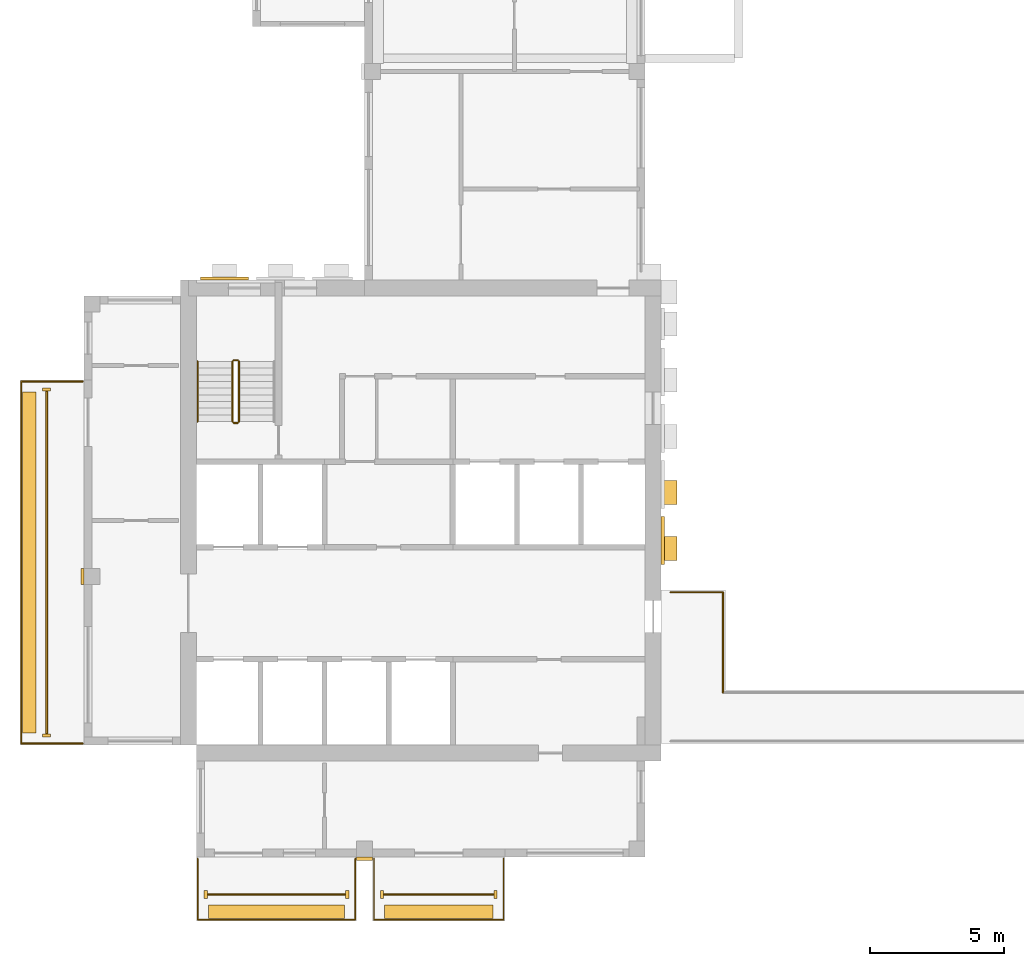
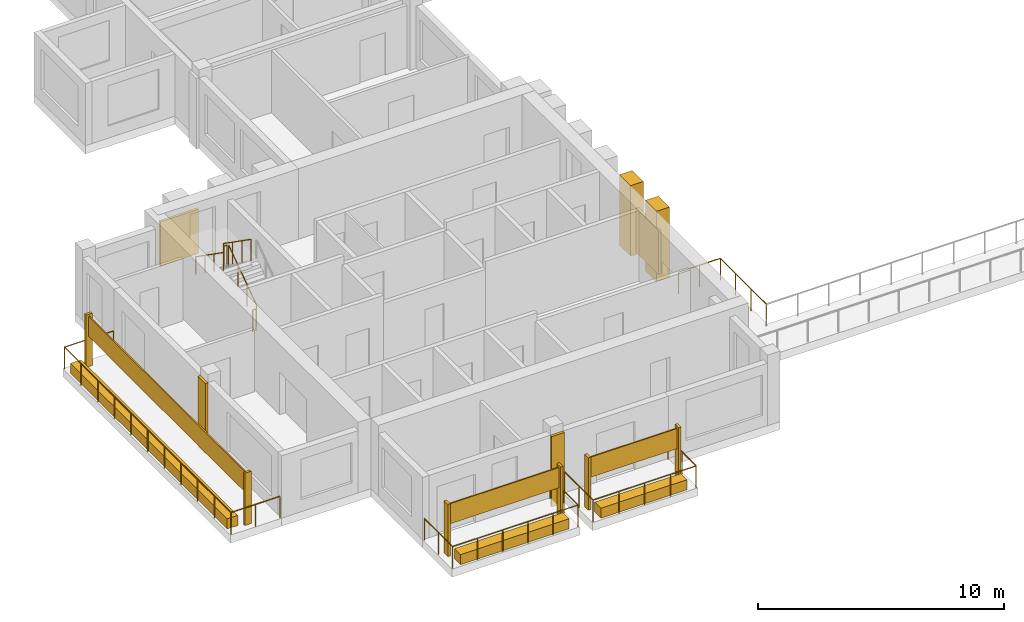
# One storey, part 5 of 8: 18 coverings, 10 railings.
"""IFC4 building model written with IfcOpenShell, lengths in metres."""

from ifc_helpers import new_model, si_unit, direction, frame, origin, origin_2d, place, context, subcontext, project, spatial, rectangle, circle, extrude, source, transform, mapped, material, type_object, element, save


model = new_model("IFC4")

# Units and contexts
model_context = context("Model", 3, precision=1e-05, world=origin(), true_north=direction((0.0, 1.0)))
body_context = subcontext(model_context, "Body", "Model", "MODEL_VIEW")
ifc_project = project(units=[si_unit("LENGTHUNIT", "METRE"), si_unit("AREAUNIT", "SQUARE_METRE"), si_unit("VOLUMEUNIT", "CUBIC_METRE"), si_unit("PLANEANGLEUNIT", "RADIAN"), si_unit("MASSUNIT", "GRAM", prefix="KILO")], contexts=[model_context])

# Site, building, storey
site_placement = place(None, origin())
site = spatial("IfcSite", under=ifc_project, at=site_placement, CompositionType="ELEMENT")
building_placement = place(site_placement, origin())
building = spatial("IfcBuilding", under=site, at=building_placement, Name="Aurelian Terraces", CompositionType="ELEMENT")
storey_placement = place(building_placement, frame((0.0, 0.0, 347.5)))
storey = spatial("IfcBuildingStorey", under=building, at=storey_placement, Name="L82", CompositionType="ELEMENT", Elevation=347.5)

# Railing
ifc_material_1 = material(Name="Anodised aluminium", Category="aluminium")
railing_type_1 = type_object("IfcRailingType", Name="GUARD-1100", PredefinedType="GUARDRAIL", material=ifc_material_1)
railing_1_placement = place(storey_placement, frame((10.85, -0.05, 0.0)))
element("IfcRailing", 1, at=railing_1_placement, inside=storey, type_object=railing_type_1, Name="Balcony guard L82 F01.2", PredefinedType="GUARDRAIL", context=body_context, shape_type="SweptSolid", body=[
    extrude(circle(Radius=0.024, at=origin_2d()), frame((0.0, 0.0, 1.076), z_axis=(0.0, -1.0, 0.0), x_axis=(1.0, 0.0, 0.0)), (0.0, 0.0, 1.0), 2.3),
    extrude(circle(Radius=0.024, at=origin_2d()), frame((0.0, -2.3, 1.076), z_axis=(1.0, 0.0, 0.0), x_axis=(0.0, 1.0, 0.0)), (0.0, 0.0, 1.0), 4.85),
    extrude(circle(Radius=0.024, at=origin_2d()), frame((4.85, -2.3, 1.076), z_axis=(0.0, 1.0, 0.0), x_axis=(-1.0, 0.0, 0.0)), (0.0, 0.0, 1.0), 2.3),
    extrude(circle(Radius=0.021, at=origin_2d()), origin(), (0.0, 0.0, 1.0), 1.052),
    extrude(circle(Radius=0.021, at=origin_2d()), frame((0.0, -1.15, 0.0)), (0.0, 0.0, 1.0), 1.052),
    extrude(circle(Radius=0.021, at=origin_2d()), frame((0.0, -2.3, 0.0)), (0.0, 0.0, 1.0), 1.052),
    extrude(circle(Radius=0.021, at=origin_2d()), frame((1.2125, -2.3, 0.0)), (0.0, 0.0, 1.0), 1.052),
    extrude(circle(Radius=0.021, at=origin_2d()), frame((2.425, -2.3, 0.0)), (0.0, 0.0, 1.0), 1.052),
    extrude(circle(Radius=0.021, at=origin_2d()), frame((3.6375, -2.3, 0.0)), (0.0, 0.0, 1.0), 1.052),
    extrude(circle(Radius=0.021, at=origin_2d()), frame((4.85, -2.3, 0.0)), (0.0, 0.0, 1.0), 1.052),
    extrude(circle(Radius=0.021, at=origin_2d()), frame((4.85, -1.15, 0.0)), (0.0, 0.0, 1.0), 1.052),
    extrude(circle(Radius=0.021, at=origin_2d()), frame((4.85, 0.0, 0.0)), (0.0, 0.0, 1.0), 1.052),
])

# Coverings
ifc_material_2 = material(Name="Terracotta planter with planting soil", Category="masonry")
covering_type_1 = type_object("IfcCoveringType", Name="PLANTER-TROUGH", PredefinedType="USERDEFINED", material=ifc_material_2)
covering_1_placement = place(storey_placement, frame((13.275, -2.05, 0.0), z_axis=(0.0, 0.0, 1.0), x_axis=(1.0, 0.0, 0.0)))
element("IfcCovering", 2, at=covering_1_placement, inside=storey, type_object=covering_type_1, Name="PLANTER L82 L82-F01-02", ObjectType="PLANTER", PredefinedType="USERDEFINED", context=body_context, shape_type="SweptSolid", body=[
    extrude(rectangle(XDim=4.05, YDim=0.5, at=origin_2d()), origin(), (0.0, 0.0, 1.0), 0.5),
])
ifc_material_3 = material(Name="Terracotta rainscreen cladding", Category="masonry")
covering_type_2 = type_object("IfcCoveringType", Name="SCREEN-TC", PredefinedType="CLADDING", material=ifc_material_3)
covering_2_placement = place(storey_placement, frame((13.275, -1.4, 1.5), z_axis=(0.0, 0.0, 1.0), x_axis=(1.0, 0.0, 0.0)))
element("IfcCovering", 3, at=covering_2_placement, inside=storey, type_object=covering_type_2, Name="SCREEN L82 L82-F01-02", PredefinedType="CLADDING", context=body_context, shape_type="SweptSolid", body=[
    extrude(rectangle(XDim=4.13, YDim=0.06, at=origin_2d()), origin(), (0.0, 0.0, 1.0), 1.0),
])
ifc_material_4 = material(Name="Terracotta rainscreen cladding relief", Category="masonry")
covering_type_3 = type_object("IfcCoveringType", Name="FIN-TC", PredefinedType="CLADDING", material=ifc_material_4)
shared_shape_1 = source(origin(), body_context, "Body", "SweptSolid", [
    extrude(rectangle(XDim=0.3, YDim=0.12, at=origin_2d()), origin(), (0.0, 0.0, 1.0), 2.6),
])
for number, where, z_axis, x_axis, name in (
    (4, (-1.4, 17.5, 0.0), (0.0, 0.0, 1.0), (1.0, 0.0, 0.0), "FIN L82 L82-F10-18.1"),
    (5, (-1.4, 4.55, 0.0), (0.0, 0.0, 1.0), (1.0, 0.0, 0.0), "FIN L82 L82-F10-18.2"),
):
    element("IfcCovering", number, at=place(storey_placement, frame(where, z_axis=z_axis, x_axis=x_axis)), inside=storey, type_object=covering_type_3, Name=name, PredefinedType="CLADDING", context=body_context, shape_type="MappedRepresentation", body=[
        mapped(shared_shape_1, transform((0.0, 0.0, 0.0), scale=1.0)),
    ])
shared_shape_2 = source(origin(), body_context, "Body", "SweptSolid", [
    extrude(rectangle(XDim=0.12, YDim=0.3, at=origin_2d()), origin(), (0.0, 0.0, 1.0), 2.6),
])
for number, where, z_axis, x_axis, name in (
    (6, (4.55, -1.4, 0.0), (0.0, 0.0, 1.0), (1.0, 0.0, 0.0), "FIN L82 L82-F01-01.1"),
    (7, (9.85, -1.4, 0.0), (0.0, 0.0, 1.0), (1.0, 0.0, 0.0), "FIN L82 L82-F01-01.2"),
    (8, (11.15, -1.4, 0.0), (0.0, 0.0, 1.0), (1.0, 0.0, 0.0), "FIN L82 L82-F01-02.1"),
    (9, (15.4, -1.4, 0.0), (0.0, 0.0, 1.0), (1.0, 0.0, 0.0), "FIN L82 L82-F01-02.2"),
):
    element("IfcCovering", number, at=place(storey_placement, frame(where, z_axis=z_axis, x_axis=x_axis)), inside=storey, type_object=covering_type_3, Name=name, PredefinedType="CLADDING", context=body_context, shape_type="MappedRepresentation", body=[
        mapped(shared_shape_2, transform((0.0, 0.0, 0.0), scale=1.0)),
    ])

# Railing
shared_shape_3 = source(origin(), body_context, "Body", "SweptSolid", [
    extrude(circle(Radius=0.024, at=origin_2d()), frame((0.0, 0.0, 1.076), z_axis=(-1.0, 0.0, 0.0), x_axis=(0.0, -1.0, 0.0)), (0.0, 0.0, 1.0), 2.3),
    extrude(circle(Radius=0.024, at=origin_2d()), frame((-2.3, 0.0, 1.076), z_axis=(0.0, -1.0, 0.0), x_axis=(1.0, 0.0, 0.0)), (0.0, 0.0, 1.0), 13.55),
    extrude(circle(Radius=0.024, at=origin_2d()), frame((-2.3, -13.55, 1.076), z_axis=(1.0, 0.0, 0.0), x_axis=(0.0, 1.0, 0.0)), (0.0, 0.0, 1.0), 2.3),
    extrude(circle(Radius=0.021, at=origin_2d()), origin(), (0.0, 0.0, 1.0), 1.052),
    extrude(circle(Radius=0.021, at=origin_2d()), frame((-1.15, 0.0, 0.0)), (0.0, 0.0, 1.0), 1.052),
    extrude(circle(Radius=0.021, at=origin_2d()), frame((-2.3, 0.0, 0.0)), (0.0, 0.0, 1.0), 1.052),
    extrude(circle(Radius=0.021, at=origin_2d()), frame((-2.3, -1.355, 0.0)), (0.0, 0.0, 1.0), 1.052),
    extrude(circle(Radius=0.021, at=origin_2d()), frame((-2.3, -2.71, 0.0)), (0.0, 0.0, 1.0), 1.052),
    extrude(circle(Radius=0.021, at=origin_2d()), frame((-2.3, -4.065, 0.0)), (0.0, 0.0, 1.0), 1.052),
    extrude(circle(Radius=0.021, at=origin_2d()), frame((-2.3, -5.42, 0.0)), (0.0, 0.0, 1.0), 1.052),
    extrude(circle(Radius=0.021, at=origin_2d()), frame((-2.3, -6.775, 0.0)), (0.0, 0.0, 1.0), 1.052),
    extrude(circle(Radius=0.021, at=origin_2d()), frame((-2.3, -8.13, 0.0)), (0.0, 0.0, 1.0), 1.052),
    extrude(circle(Radius=0.021, at=origin_2d()), frame((-2.3, -9.485, 0.0)), (0.0, 0.0, 1.0), 1.052),
    extrude(circle(Radius=0.021, at=origin_2d()), frame((-2.3, -10.84, 0.0)), (0.0, 0.0, 1.0), 1.052),
    extrude(circle(Radius=0.021, at=origin_2d()), frame((-2.3, -12.195, 0.0)), (0.0, 0.0, 1.0), 1.052),
    extrude(circle(Radius=0.021, at=origin_2d()), frame((-2.3, -13.55, 0.0)), (0.0, 0.0, 1.0), 1.052),
    extrude(circle(Radius=0.021, at=origin_2d()), frame((-1.15, -13.55, 0.0)), (0.0, 0.0, 1.0), 1.052),
    extrude(circle(Radius=0.021, at=origin_2d()), frame((0.0, -13.55, 0.0)), (0.0, 0.0, 1.0), 1.052),
])
railing_2_placement = place(storey_placement, frame((-0.05, 17.8, 0.0)))
element("IfcRailing", 10, at=railing_2_placement, inside=storey, type_object=railing_type_1, Name="Balcony guard L82 F10.18", PredefinedType="GUARDRAIL", context=body_context, shape_type="MappedRepresentation", body=[
    mapped(shared_shape_3, transform((0.0, 0.0, 0.0), scale=1.0)),
])

# Coverings
shared_shape_4 = source(origin(), body_context, "Body", "SweptSolid", [
    extrude(rectangle(XDim=0.5, YDim=12.75, at=origin_2d()), origin(), (0.0, 0.0, 1.0), 0.5),
])
covering_3_placement = place(storey_placement, frame((-2.05, 11.025, 0.0), z_axis=(0.0, 0.0, 1.0), x_axis=(1.0, 0.0, 0.0)))
element("IfcCovering", 11, at=covering_3_placement, inside=storey, type_object=covering_type_1, Name="PLANTER L82 L82-F10-18", ObjectType="PLANTER", PredefinedType="USERDEFINED", context=body_context, shape_type="MappedRepresentation", body=[
    mapped(shared_shape_4, transform((0.0, 0.0, 0.0), scale=1.0)),
])
shared_shape_5 = source(origin(), body_context, "Body", "SweptSolid", [
    extrude(rectangle(XDim=0.06, YDim=12.83, at=origin_2d()), origin(), (0.0, 0.0, 1.0), 1.0),
])
covering_4_placement = place(storey_placement, frame((-1.4, 11.025, 1.5), z_axis=(0.0, 0.0, 1.0), x_axis=(1.0, 0.0, 0.0)))
element("IfcCovering", 12, at=covering_4_placement, inside=storey, type_object=covering_type_2, Name="SCREEN L82 L82-F10-18", PredefinedType="CLADDING", context=body_context, shape_type="MappedRepresentation", body=[
    mapped(shared_shape_5, transform((0.0, 0.0, 0.0), scale=1.0)),
])
ifc_material_5 = material(Name="Terracotta rainscreen cladding louvre blades", Category="masonry")
covering_type_4 = type_object("IfcCoveringType", Name="LOUVRE-TC", PredefinedType="CLADDING", material=ifc_material_5)
shared_shape_6 = source(origin(), body_context, "Body", "SweptSolid", [
    extrude(rectangle(XDim=0.12, YDim=1.8, at=origin_2d()), origin(), (0.0, 0.0, 1.0), 2.2),
])
covering_5_placement = place(storey_placement, frame((21.66, 11.85, 0.45), z_axis=(0.0, 0.0, 1.0), x_axis=(1.0, 0.0, 0.0)))
element("IfcCovering", 13, at=covering_5_placement, inside=storey, type_object=covering_type_4, Name="LOUVRE L82 core face E.1", PredefinedType="CLADDING", context=body_context, shape_type="MappedRepresentation", body=[
    mapped(shared_shape_6, transform((0.0, 0.0, 0.0), scale=1.0)),
])
shared_shape_7 = source(origin(), body_context, "Body", "SweptSolid", [
    extrude(rectangle(XDim=1.8, YDim=0.12, at=origin_2d()), origin(), (0.0, 0.0, 1.0), 2.2),
])
covering_6_placement = place(storey_placement, frame((5.25, 21.66, 0.45), z_axis=(0.0, 0.0, 1.0), x_axis=(1.0, 0.0, 0.0)))
element("IfcCovering", 14, at=covering_6_placement, inside=storey, type_object=covering_type_4, Name="LOUVRE L82 core face N.1", PredefinedType="CLADDING", context=body_context, shape_type="MappedRepresentation", body=[
    mapped(shared_shape_7, transform((0.0, 0.0, 0.0), scale=1.0)),
])

# Railing
shared_shape_8 = source(origin(), body_context, "Body", "SweptSolid", [
    extrude(circle(Radius=0.024, at=origin_2d()), frame((0.0, 0.0, 1.076), z_axis=(1.0, 0.0, 0.0), x_axis=(0.0, 1.0, 0.0)), (0.0, 0.0, 1.0), 1.96),
    extrude(circle(Radius=0.021, at=origin_2d()), origin(), (0.0, 0.0, 1.0), 1.052),
    extrude(circle(Radius=0.021, at=origin_2d()), frame((0.98, 0.0, 0.0)), (0.0, 0.0, 1.0), 1.052),
    extrude(circle(Radius=0.021, at=origin_2d()), frame((1.96, 0.0, 0.0)), (0.0, 0.0, 1.0), 1.052),
])
railing_3_placement = place(storey_placement, frame((21.95, 9.91, 0.0)))
element("IfcRailing", 15, at=railing_3_placement, inside=storey, type_object=railing_type_1, Name="Terrace guard L82 PORTAL-B82.4", PredefinedType="GUARDRAIL", context=body_context, shape_type="MappedRepresentation", body=[
    mapped(shared_shape_8, transform((0.0, 0.0, 0.0), scale=1.0)),
])

# Coverings
covering_type_5 = type_object("IfcCoveringType", Name="BAGUETTE-TC", PredefinedType="CLADDING", material=ifc_material_4)
shared_shape_9 = source(origin(), body_context, "Body", "SweptSolid", [
    extrude(rectangle(XDim=0.6, YDim=0.12, at=origin_2d()), origin(), (0.0, 0.0, 1.0), 3.5),
])
covering_7_placement = place(storey_placement, frame((10.5, -0.06, -0.4), z_axis=(0.0, 0.0, 1.0), x_axis=(1.0, 0.0, 0.0)))
element("IfcCovering", 16, at=covering_7_placement, inside=storey, type_object=covering_type_5, Name="BAGUETTE pier L82 1", PredefinedType="CLADDING", context=body_context, shape_type="MappedRepresentation", body=[
    mapped(shared_shape_9, transform((0.0, 0.0, 0.0), scale=1.0)),
])
shared_shape_10 = source(origin(), body_context, "Body", "SweptSolid", [
    extrude(rectangle(XDim=0.12, YDim=0.6, at=origin_2d()), origin(), (0.0, 0.0, 1.0), 3.5),
])
covering_8_placement = place(storey_placement, frame((-0.06, 10.5, -0.4), z_axis=(0.0, 0.0, 1.0), x_axis=(1.0, 0.0, 0.0)))
element("IfcCovering", 17, at=covering_8_placement, inside=storey, type_object=covering_type_5, Name="BAGUETTE pier L82 3", PredefinedType="CLADDING", context=body_context, shape_type="MappedRepresentation", body=[
    mapped(shared_shape_10, transform((0.0, 0.0, 0.0), scale=1.0)),
])

# Railing
shared_shape_11 = source(origin(), body_context, "Body", "SweptSolid", [
    extrude(circle(Radius=0.024, at=origin_2d()), frame((0.0, 0.0, 1.076), z_axis=(0.0, -1.0, 0.0), x_axis=(1.0, 0.0, 0.0)), (0.0, 0.0, 1.0), 2.3),
    extrude(circle(Radius=0.024, at=origin_2d()), frame((0.0, -2.3, 1.076), z_axis=(1.0, 0.0, 0.0), x_axis=(0.0, 1.0, 0.0)), (0.0, 0.0, 1.0), 5.9),
    extrude(circle(Radius=0.024, at=origin_2d()), frame((5.9, -2.3, 1.076), z_axis=(0.0, 1.0, 0.0), x_axis=(-1.0, 0.0, 0.0)), (0.0, 0.0, 1.0), 2.3),
    extrude(circle(Radius=0.021, at=origin_2d()), origin(), (0.0, 0.0, 1.0), 1.052),
    extrude(circle(Radius=0.021, at=origin_2d()), frame((0.0, -1.15, 0.0)), (0.0, 0.0, 1.0), 1.052),
    extrude(circle(Radius=0.021, at=origin_2d()), frame((0.0, -2.3, 0.0)), (0.0, 0.0, 1.0), 1.052),
    extrude(circle(Radius=0.021, at=origin_2d()), frame((1.18, -2.3, 0.0)), (0.0, 0.0, 1.0), 1.052),
    extrude(circle(Radius=0.021, at=origin_2d()), frame((2.36, -2.3, 0.0)), (0.0, 0.0, 1.0), 1.052),
    extrude(circle(Radius=0.021, at=origin_2d()), frame((3.54, -2.3, 0.0)), (0.0, 0.0, 1.0), 1.052),
    extrude(circle(Radius=0.021, at=origin_2d()), frame((4.72, -2.3, 0.0)), (0.0, 0.0, 1.0), 1.052),
    extrude(circle(Radius=0.021, at=origin_2d()), frame((5.9, -2.3, 0.0)), (0.0, 0.0, 1.0), 1.052),
    extrude(circle(Radius=0.021, at=origin_2d()), frame((5.9, -1.15, 0.0)), (0.0, 0.0, 1.0), 1.052),
    extrude(circle(Radius=0.021, at=origin_2d()), frame((5.9, 0.0, 0.0)), (0.0, 0.0, 1.0), 1.052),
])
railing_4_placement = place(storey_placement, frame((4.25, -0.05, 0.0)))
element("IfcRailing", 18, at=railing_4_placement, inside=storey, type_object=railing_type_1, Name="Balcony guard L82 F01.1", PredefinedType="GUARDRAIL", context=body_context, shape_type="MappedRepresentation", body=[
    mapped(shared_shape_11, transform((0.0, 0.0, 0.0), scale=1.0)),
])

# Coverings
shared_shape_12 = source(origin(), body_context, "Body", "SweptSolid", [
    extrude(rectangle(XDim=5.1, YDim=0.5, at=origin_2d()), origin(), (0.0, 0.0, 1.0), 0.5),
])
covering_9_placement = place(storey_placement, frame((7.2, -2.05, 0.0), z_axis=(0.0, 0.0, 1.0), x_axis=(1.0, 0.0, 0.0)))
element("IfcCovering", 19, at=covering_9_placement, inside=storey, type_object=covering_type_1, Name="PLANTER L82 L82-F01-01", ObjectType="PLANTER", PredefinedType="USERDEFINED", context=body_context, shape_type="MappedRepresentation", body=[
    mapped(shared_shape_12, transform((0.0, 0.0, 0.0), scale=1.0)),
])
shared_shape_13 = source(origin(), body_context, "Body", "SweptSolid", [
    extrude(rectangle(XDim=5.18, YDim=0.06, at=origin_2d()), origin(), (0.0, 0.0, 1.0), 1.0),
])
covering_10_placement = place(storey_placement, frame((7.2, -1.4, 1.5), z_axis=(0.0, 0.0, 1.0), x_axis=(1.0, 0.0, 0.0)))
element("IfcCovering", 20, at=covering_10_placement, inside=storey, type_object=covering_type_2, Name="SCREEN L82 L82-F01-01", PredefinedType="CLADDING", context=body_context, shape_type="MappedRepresentation", body=[
    mapped(shared_shape_13, transform((0.0, 0.0, 0.0), scale=1.0)),
])

# Railings
shared_shape_14 = source(origin(), body_context, "Body", "SweptSolid", [
    extrude(circle(Radius=0.024, at=origin_2d()), frame((0.0, 0.0, 1.076), z_axis=(0.0, -1.0, 0.0), x_axis=(1.0, 0.0, 0.0)), (0.0, 0.0, 1.0), 3.75),
    extrude(circle(Radius=0.021, at=origin_2d()), origin(), (0.0, 0.0, 1.0), 1.052),
    extrude(circle(Radius=0.021, at=origin_2d()), frame((0.0, -1.25, 0.0)), (0.0, 0.0, 1.0), 1.052),
    extrude(circle(Radius=0.021, at=origin_2d()), frame((0.0, -2.5, 0.0)), (0.0, 0.0, 1.0), 1.052),
    extrude(circle(Radius=0.021, at=origin_2d()), frame((0.0, -3.75, 0.0)), (0.0, 0.0, 1.0), 1.052),
])
railing_5_placement = place(storey_placement, frame((23.91, 9.91, 0.0)))
element("IfcRailing", 21, at=railing_5_placement, inside=storey, type_object=railing_type_1, Name="Terrace guard L82 PORTAL-B82.5", PredefinedType="GUARDRAIL", context=body_context, shape_type="MappedRepresentation", body=[
    mapped(shared_shape_14, transform((0.0, 0.0, 0.0), scale=1.0)),
])
ifc_material_6 = material(Name="Stainless steel", Category="steel")
railing_type_2 = type_object("IfcRailingType", Name="Stair guard 1100", PredefinedType="GUARDRAIL", material=ifc_material_6)
shared_shape_15 = source(origin(), body_context, "Body", "SweptSolid", [
    extrude(circle(Radius=0.024, at=origin_2d()), frame((0.0, 0.0, 1.076), z_axis=(-1.0, 0.0, 0.0), x_axis=(0.0, -1.0, 0.0)), (0.0, 0.0, 1.0), 0.15),
    extrude(circle(Radius=0.021, at=origin_2d()), origin(), (0.0, 0.0, 1.0), 1.052),
    extrude(circle(Radius=0.021, at=origin_2d()), frame((-0.15, 0.0, 0.0)), (0.0, 0.0, 1.0), 1.052),
])
for number, where, name in (
    (22, (5.75, 18.6, 1.75), "L82 S1 stair guard 2"),
    (23, (5.75, 16.25, 0.0), "L82 S1 stair guard 4"),
):
    element("IfcRailing", number, at=place(storey_placement, frame(where)), inside=storey, type_object=railing_type_2, Name=name, PredefinedType="GUARDRAIL", context=body_context, shape_type="MappedRepresentation", body=[
        mapped(shared_shape_15, transform((0.0, 0.0, 0.0), scale=1.0)),
    ])
shared_shape_16 = source(origin(), body_context, "Body", "SweptSolid", [
    extrude(circle(Radius=0.024, at=origin_2d()), frame((0.0, 0.0, 1.076), z_axis=(0.0, 0.819231920519, 0.573462344363), x_axis=(-1.0, 0.0, 0.0)), (0.0, 0.0, 1.0), 2.7465),
    extrude(circle(Radius=0.021, at=origin_2d()), origin(), (0.0, 0.0, 1.0), 1.052),
    extrude(circle(Radius=0.021, at=origin_2d()), frame((0.0, 0.75, 0.525)), (0.0, 0.0, 1.0), 1.052),
    extrude(circle(Radius=0.021, at=origin_2d()), frame((0.0, 1.5, 1.05)), (0.0, 0.0, 1.0), 1.052),
    extrude(circle(Radius=0.021, at=origin_2d()), frame((0.0, 2.25, 1.575)), (0.0, 0.0, 1.0), 1.052),
])
railing_6_placement = place(storey_placement, frame((5.8, 16.3, 0.175)))
element("IfcRailing", 24, at=railing_6_placement, inside=storey, type_object=railing_type_2, Name="L82 S1 stair guard 1", PredefinedType="GUARDRAIL", context=body_context, shape_type="MappedRepresentation", body=[
    mapped(shared_shape_16, transform((0.0, 0.0, 0.0), scale=1.0)),
])
shared_shape_17 = source(origin(), body_context, "Body", "SweptSolid", [
    extrude(circle(Radius=0.024, at=origin_2d()), frame((0.0, 0.0, 1.076), z_axis=(0.0, -0.819231920519, 0.573462344363), x_axis=(1.0, 0.0, 0.0)), (0.0, 0.0, 1.0), 2.7465),
    extrude(circle(Radius=0.021, at=origin_2d()), origin(), (0.0, 0.0, 1.0), 1.052),
    extrude(circle(Radius=0.021, at=origin_2d()), frame((0.0, -0.75, 0.525)), (0.0, 0.0, 1.0), 1.052),
    extrude(circle(Radius=0.021, at=origin_2d()), frame((0.0, -1.5, 1.05)), (0.0, 0.0, 1.0), 1.052),
    extrude(circle(Radius=0.021, at=origin_2d()), frame((0.0, -2.25, 1.575)), (0.0, 0.0, 1.0), 1.052),
])
railing_7_placement = place(storey_placement, frame((5.55, 18.55, 1.925)))
element("IfcRailing", 25, at=railing_7_placement, inside=storey, type_object=railing_type_2, Name="L82 S1 stair guard 3", PredefinedType="GUARDRAIL", context=body_context, shape_type="MappedRepresentation", body=[
    mapped(shared_shape_17, transform((0.0, 0.0, 0.0), scale=1.0)),
])
railing_type_3 = type_object("IfcRailingType", Name="Stair handrail", PredefinedType="HANDRAIL", material=ifc_material_6)
shared_shape_18 = source(origin(), body_context, "Body", "SweptSolid", [
    extrude(circle(Radius=0.024, at=origin_2d()), frame((0.0, 0.0, 0.876), z_axis=(0.0, -0.819231920519, 0.573462344363), x_axis=(1.0, 0.0, 0.0)), (0.0, 0.0, 1.0), 2.7465),
    extrude(circle(Radius=0.021, at=origin_2d()), origin(), (0.0, 0.0, 1.0), 0.852),
    extrude(circle(Radius=0.021, at=origin_2d()), frame((0.0, -0.75, 0.525)), (0.0, 0.0, 1.0), 0.852),
    extrude(circle(Radius=0.021, at=origin_2d()), frame((0.0, -1.5, 1.05)), (0.0, 0.0, 1.0), 0.852),
    extrude(circle(Radius=0.021, at=origin_2d()), frame((0.0, -2.25, 1.575)), (0.0, 0.0, 1.0), 0.852),
])
railing_8_placement = place(storey_placement, frame((4.25, 18.55, 1.925)))
element("IfcRailing", 26, at=railing_8_placement, inside=storey, type_object=railing_type_3, Name="L82 S1 stair handrail 2", PredefinedType="HANDRAIL", context=body_context, shape_type="MappedRepresentation", body=[
    mapped(shared_shape_18, transform((0.0, 0.0, 0.0), scale=1.0)),
])

# Coverings
covering_type_6 = type_object("IfcCoveringType", Name="Core spine pier 900x600", PredefinedType="CLADDING", material=ifc_material_4)
shared_shape_19 = source(origin(), body_context, "Body", "SweptSolid", [
    extrude(rectangle(XDim=0.6, YDim=0.9, at=origin_2d()), origin(), (0.0, 0.0, 1.0), 3.5),
])
for number, where, z_axis, x_axis, name in (
    (27, (21.9, 11.55, 0.0), (0.0, 0.0, 1.0), (1.0, 0.0, 0.0), "Spine pier L82 E4"),
    (28, (21.9, 13.65, 0.0), (0.0, 0.0, 1.0), (1.0, 0.0, 0.0), "Spine pier L82 E5"),
):
    element("IfcCovering", number, at=place(storey_placement, frame(where, z_axis=z_axis, x_axis=x_axis)), inside=storey, type_object=covering_type_6, Name=name, PredefinedType="CLADDING", context=body_context, shape_type="MappedRepresentation", body=[
        mapped(shared_shape_19, transform((0.0, 0.0, 0.0), scale=1.0)),
    ])

save(model, "model.ifc")
